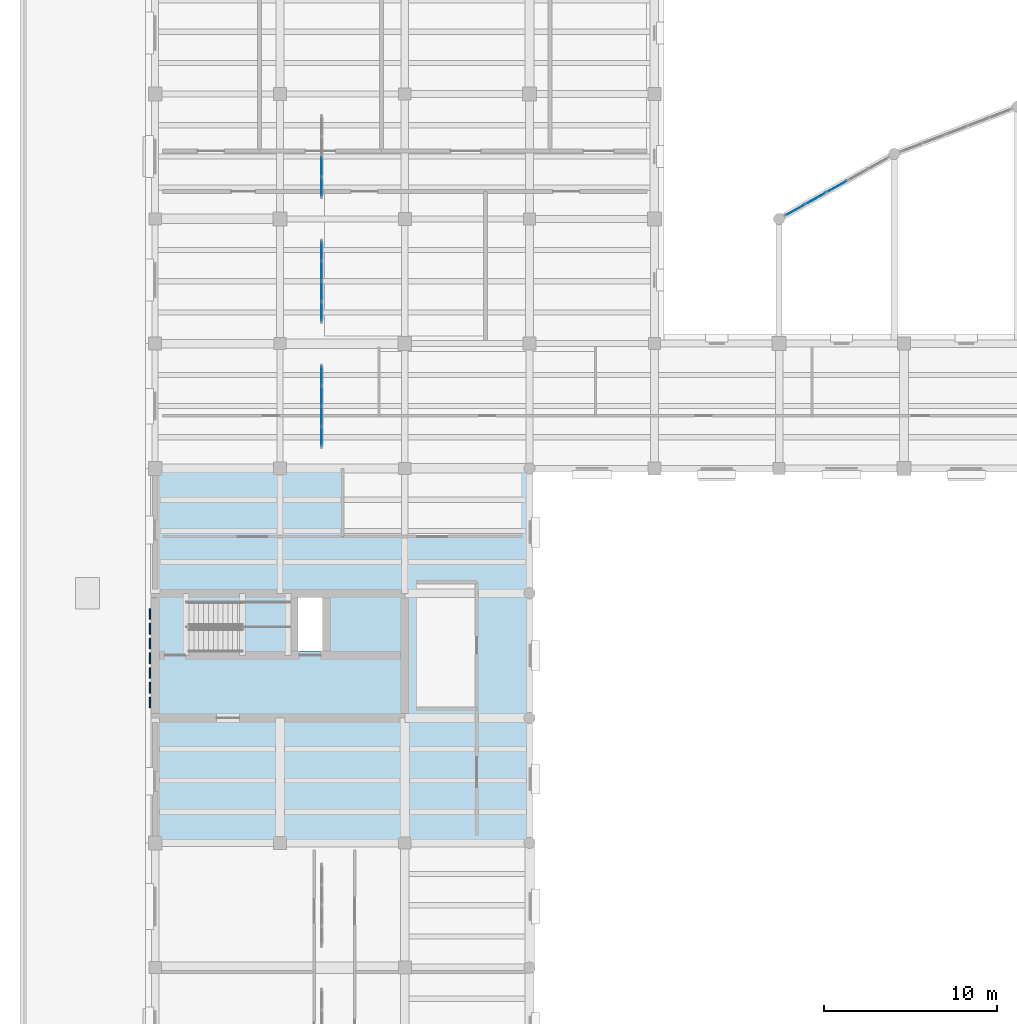
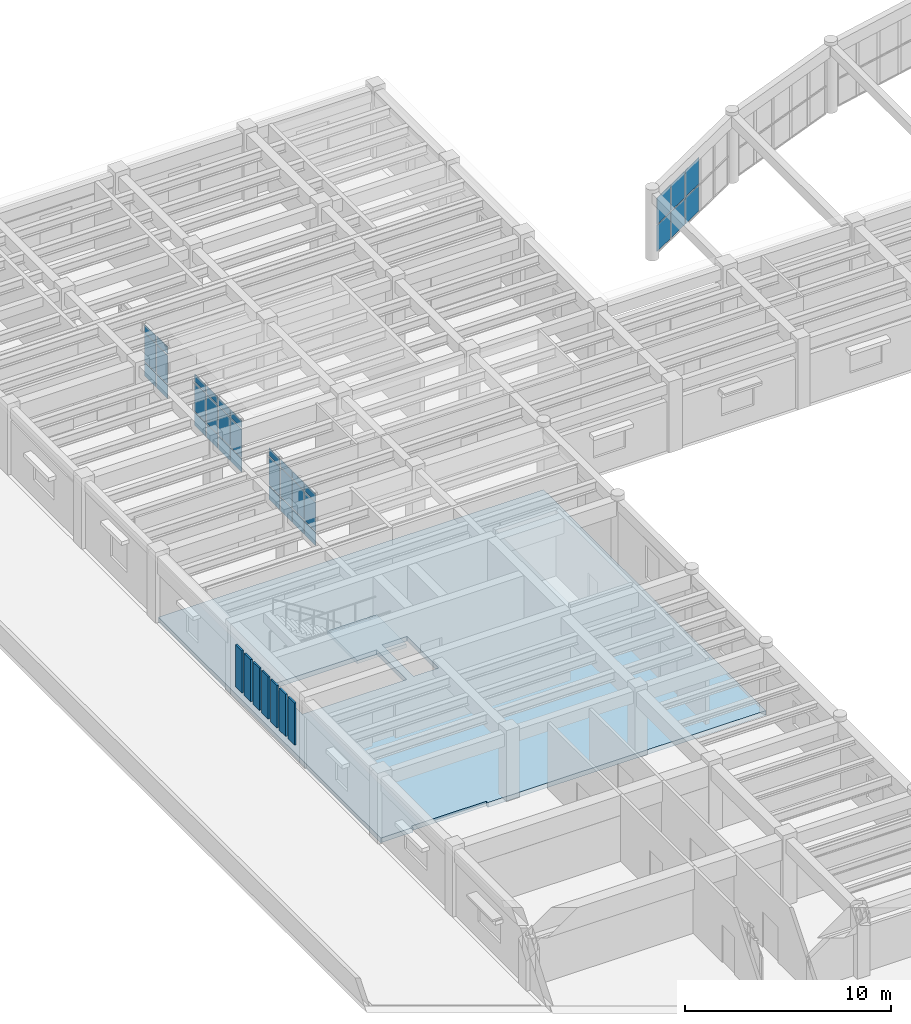
# One storey, part 39 of 76: 43 plates, 2 slabs, 5 elements without a shape of their own.
"""IFC4 building model written with IfcOpenShell, lengths in metres."""

from ifc_helpers import new_model, si_unit, direction, frame, origin, origin_2d, place, context, subcontext, project, spatial, polyline, rectangle, outline, extrude, material, layer, layer_set, type_object, element, aggregate, save


model = new_model("IFC4")

# Units and contexts
model_context = context("Model", 3, precision=1e-05, world=origin(), true_north=direction((0.0, 1.0)))
body_context = subcontext(model_context, "Body", "Model", "MODEL_VIEW")
ifc_project = project(units=[si_unit("LENGTHUNIT", "METRE"), si_unit("AREAUNIT", "SQUARE_METRE"), si_unit("VOLUMEUNIT", "CUBIC_METRE"), si_unit("PLANEANGLEUNIT", "RADIAN"), si_unit("MASSUNIT", "GRAM", prefix="KILO")], contexts=[model_context])

# Site, building, storey
site_placement = place(None, origin())
site = spatial("IfcSite", under=ifc_project, at=site_placement, CompositionType="ELEMENT")
building_placement = place(site_placement, origin())
building = spatial("IfcBuilding", under=site, at=building_placement, Name="Mithqara Police Headquarters", CompositionType="ELEMENT")
storey_placement = place(building_placement, frame((0.0, 0.0, 5.39990234375)))
storey = spatial("IfcBuildingStorey", under=building, at=storey_placement, Name="L01", CompositionType="ELEMENT", Elevation=5.39990234375)

# Curtain wall, plates
ifc_material_1 = material(Name="Bronze anodised aluminium 6063-T6", Category="aluminium")
curtain_wall_type_1 = type_object("IfcCurtainWallType", Name="CURTAIN WALL 6875X3300", PredefinedType="USERDEFINED", material=ifc_material_1)
curtain_wall_1_placement = place(storey_placement, origin())
curtain_wall_1 = element("IfcCurtainWall", 1, at=curtain_wall_1_placement, inside=storey, type_object=curtain_wall_type_1, Name="L01 Unitised Glazing CW-12 (CW-ARC-L01-00-0)", ObjectType="UNITISED GLAZING", PredefinedType="USERDEFINED")
ifc_material_2 = material(Name="Spectrally selective double low-e glass", Category="glass")
ifc_layer_1 = layer(ifc_material_2, 0.028076171875, Name="Spectrally selective double low-e glass")
ifc_layer_set_1 = layer_set([ifc_layer_1], Name="Spectrally selective double low-e glass")
plate_type_1 = type_object("IfcPlateType", Name="CWPANEL GLASS28", PredefinedType="CURTAIN_PANEL", material=ifc_layer_set_1)
plate_1_placement = place(storey_placement, frame((44.7392578125, 93.52978515625, 0.06494140625), z_axis=(0.0, 0.0, 1.0), x_axis=(0.870985969427, 0.491307888255, 0.0)))
plate_1 = element("IfcPlate", 2, at=plate_1_placement, type_object=plate_type_1, Name="CW-12 panel 1.1", PredefinedType="CURTAIN_PANEL", context=body_context, shape_type="SweptSolid", body=[
    extrude(rectangle(XDim=1.27734375, YDim=0.028076171875, at=origin_2d()), origin(), (0.0, 0.0, 1.0), 1.552490234375),
])
plate_2_placement = place(storey_placement, frame((44.7392578125, 93.52978515625, 1.6826171875), z_axis=(0.0, 0.0, 1.0), x_axis=(0.870985969427, 0.491307888255, 0.0)))
plate_2 = element("IfcPlate", 3, at=plate_2_placement, type_object=plate_type_1, Name="CW-12 panel 1.2", PredefinedType="CURTAIN_PANEL", context=body_context, shape_type="SweptSolid", body=[
    extrude(rectangle(XDim=1.27734375, YDim=0.028076171875, at=origin_2d()), origin(), (0.0, 0.0, 1.0), 1.552490234375),
])
plate_3_placement = place(storey_placement, frame((45.922607421875, 94.197265625, 0.06494140625), z_axis=(0.0, 0.0, 1.0), x_axis=(0.870985969427, 0.491307888255, 0.0)))
plate_3 = element("IfcPlate", 4, at=plate_3_placement, type_object=plate_type_1, Name="CW-12 panel 2.1", PredefinedType="CURTAIN_PANEL", context=body_context, shape_type="SweptSolid", body=[
    extrude(rectangle(XDim=1.309814453125, YDim=0.028076171875, at=origin_2d()), origin(), (0.0, 0.0, 1.0), 1.552490234375),
])
plate_4_placement = place(storey_placement, frame((45.922607421875, 94.197265625, 1.6826171875), z_axis=(0.0, 0.0, 1.0), x_axis=(0.870985969427, 0.491307888255, 0.0)))
plate_4 = element("IfcPlate", 5, at=plate_4_placement, type_object=plate_type_1, Name="CW-12 panel 2.2", PredefinedType="CURTAIN_PANEL", context=body_context, shape_type="SweptSolid", body=[
    extrude(rectangle(XDim=1.309814453125, YDim=0.028076171875, at=origin_2d()), origin(), (0.0, 0.0, 1.0), 1.552490234375),
])
plate_5_placement = place(storey_placement, frame((47.1201171875, 94.872802734375, 0.06494140625), z_axis=(0.0, 0.0, 1.0), x_axis=(0.870985969427, 0.491307888255, 0.0)))
plate_5 = element("IfcPlate", 6, at=plate_5_placement, type_object=plate_type_1, Name="CW-12 panel 3.1", PredefinedType="CURTAIN_PANEL", context=body_context, shape_type="SweptSolid", body=[
    extrude(rectangle(XDim=1.309814453125, YDim=0.028076171875, at=origin_2d()), origin(), (0.0, 0.0, 1.0), 1.552490234375),
])
plate_6_placement = place(storey_placement, frame((47.1201171875, 94.872802734375, 1.6826171875), z_axis=(0.0, 0.0, 1.0), x_axis=(0.870985969427, 0.491307888255, 0.0)))
plate_6 = element("IfcPlate", 7, at=plate_6_placement, type_object=plate_type_1, Name="CW-12 panel 3.2", PredefinedType="CURTAIN_PANEL", context=body_context, shape_type="SweptSolid", body=[
    extrude(rectangle(XDim=1.309814453125, YDim=0.028076171875, at=origin_2d()), origin(), (0.0, 0.0, 1.0), 1.552490234375),
])
aggregate(curtain_wall_1, [plate_1, plate_2, plate_3, plate_4, plate_5, plate_6])

curtain_wall_type_2 = type_object("IfcCurtainWallType", Name="CURTAIN WALL 4700X3200", PredefinedType="USERDEFINED", material=ifc_material_1)
curtain_wall_2_placement = place(storey_placement, origin())
curtain_wall_2 = element("IfcCurtainWall", 8, at=curtain_wall_2_placement, inside=storey, type_object=curtain_wall_type_2, Name="L01 Unitised Glazing CW-15 (CW-INT-L01-X02-Y11-0)", ObjectType="UNITISED GLAZING", PredefinedType="USERDEFINED")
plate_7_placement = place(storey_placement, frame((17.39990234375, 80.456298828125, 0.074951171875), z_axis=(0.0, 0.0, 1.0), x_axis=(0.0, 1.0, 0.0)))
plate_7 = element("IfcPlate", 9, at=plate_7_placement, type_object=plate_type_1, Name="CW-15 panel 1.1", PredefinedType="CURTAIN_PANEL", context=body_context, shape_type="SweptSolid", body=[
    extrude(rectangle(XDim=1.0625, YDim=0.028076171875, at=origin_2d()), origin(), (0.0, 0.0, 1.0), 0.78759765625),
])
plate_8_placement = place(storey_placement, frame((17.39990234375, 80.456298828125, 0.9375), z_axis=(0.0, 0.0, 1.0), x_axis=(0.0, 1.0, 0.0)))
plate_8 = element("IfcPlate", 10, at=plate_8_placement, type_object=plate_type_1, Name="CW-15 panel 1.2", PredefinedType="CURTAIN_PANEL", context=body_context, shape_type="SweptSolid", body=[
    extrude(rectangle(XDim=1.0625, YDim=0.028076171875, at=origin_2d()), origin(), (0.0, 0.0, 1.0), 1.675048828125),
])
plate_9_placement = place(storey_placement, frame((17.39990234375, 80.456298828125, 2.6875), z_axis=(0.0, 0.0, 1.0), x_axis=(0.0, 1.0, 0.0)))
plate_9 = element("IfcPlate", 11, at=plate_9_placement, type_object=plate_type_1, Name="CW-15 panel 1.3", PredefinedType="CURTAIN_PANEL", context=body_context, shape_type="SweptSolid", body=[
    extrude(rectangle(XDim=1.0625, YDim=0.028076171875, at=origin_2d()), origin(), (0.0, 0.0, 1.0), 0.4375),
])
plate_10_placement = place(storey_placement, frame((17.39990234375, 81.612548828125, 0.074951171875), z_axis=(0.0, 0.0, 1.0), x_axis=(0.0, 1.0, 0.0)))
plate_10 = element("IfcPlate", 12, at=plate_10_placement, type_object=plate_type_1, Name="CW-15 panel 2.1", PredefinedType="CURTAIN_PANEL", context=body_context, shape_type="SweptSolid", body=[
    extrude(rectangle(XDim=1.10009765625, YDim=0.028076171875, at=origin_2d()), origin(), (0.0, 0.0, 1.0), 0.78759765625),
])
plate_11_placement = place(storey_placement, frame((17.39990234375, 81.612548828125, 0.9375), z_axis=(0.0, 0.0, 1.0), x_axis=(0.0, 1.0, 0.0)))
plate_11 = element("IfcPlate", 13, at=plate_11_placement, type_object=plate_type_1, Name="CW-15 panel 2.2", PredefinedType="CURTAIN_PANEL", context=body_context, shape_type="SweptSolid", body=[
    extrude(rectangle(XDim=1.10009765625, YDim=0.028076171875, at=origin_2d()), origin(), (0.0, 0.0, 1.0), 1.675048828125),
])
plate_12_placement = place(storey_placement, frame((17.39990234375, 81.612548828125, 2.6875), z_axis=(0.0, 0.0, 1.0), x_axis=(0.0, 1.0, 0.0)))
plate_12 = element("IfcPlate", 14, at=plate_12_placement, type_object=plate_type_1, Name="CW-15 panel 2.3", PredefinedType="CURTAIN_PANEL", context=body_context, shape_type="SweptSolid", body=[
    extrude(rectangle(XDim=1.10009765625, YDim=0.028076171875, at=origin_2d()), origin(), (0.0, 0.0, 1.0), 0.4375),
])
plate_13_placement = place(storey_placement, frame((17.39990234375, 82.78759765625, 0.074951171875), z_axis=(0.0, 0.0, 1.0), x_axis=(0.0, 1.0, 0.0)))
plate_13 = element("IfcPlate", 15, at=plate_13_placement, type_object=plate_type_1, Name="CW-15 panel 3.1", PredefinedType="CURTAIN_PANEL", context=body_context, shape_type="SweptSolid", body=[
    extrude(rectangle(XDim=1.10009765625, YDim=0.028076171875, at=origin_2d()), origin(), (0.0, 0.0, 1.0), 0.78759765625),
])
plate_14_placement = place(storey_placement, frame((17.39990234375, 82.78759765625, 0.9375), z_axis=(0.0, 0.0, 1.0), x_axis=(0.0, 1.0, 0.0)))
plate_14 = element("IfcPlate", 16, at=plate_14_placement, type_object=plate_type_1, Name="CW-15 panel 3.2", PredefinedType="CURTAIN_PANEL", context=body_context, shape_type="SweptSolid", body=[
    extrude(rectangle(XDim=1.10009765625, YDim=0.028076171875, at=origin_2d()), origin(), (0.0, 0.0, 1.0), 1.675048828125),
])
plate_15_placement = place(storey_placement, frame((17.39990234375, 82.78759765625, 2.6875), z_axis=(0.0, 0.0, 1.0), x_axis=(0.0, 1.0, 0.0)))
plate_15 = element("IfcPlate", 17, at=plate_15_placement, type_object=plate_type_1, Name="CW-15 panel 3.3", PredefinedType="CURTAIN_PANEL", context=body_context, shape_type="SweptSolid", body=[
    extrude(rectangle(XDim=1.10009765625, YDim=0.028076171875, at=origin_2d()), origin(), (0.0, 0.0, 1.0), 0.4375),
])
plate_16_placement = place(storey_placement, frame((17.39990234375, 83.94384765625, 0.074951171875), z_axis=(0.0, 0.0, 1.0), x_axis=(0.0, 1.0, 0.0)))
plate_16 = element("IfcPlate", 18, at=plate_16_placement, type_object=plate_type_1, Name="CW-15 panel 4.1", PredefinedType="CURTAIN_PANEL", context=body_context, shape_type="SweptSolid", body=[
    extrude(rectangle(XDim=1.0625, YDim=0.028076171875, at=origin_2d()), origin(), (0.0, 0.0, 1.0), 0.78759765625),
])
plate_17_placement = place(storey_placement, frame((17.39990234375, 83.94384765625, 0.9375), z_axis=(0.0, 0.0, 1.0), x_axis=(0.0, 1.0, 0.0)))
plate_17 = element("IfcPlate", 19, at=plate_17_placement, type_object=plate_type_1, Name="CW-15 panel 4.2", PredefinedType="CURTAIN_PANEL", context=body_context, shape_type="SweptSolid", body=[
    extrude(rectangle(XDim=1.0625, YDim=0.028076171875, at=origin_2d()), origin(), (0.0, 0.0, 1.0), 1.675048828125),
])
plate_18_placement = place(storey_placement, frame((17.39990234375, 83.94384765625, 2.6875), z_axis=(0.0, 0.0, 1.0), x_axis=(0.0, 1.0, 0.0)))
plate_18 = element("IfcPlate", 20, at=plate_18_placement, type_object=plate_type_1, Name="CW-15 panel 4.3", PredefinedType="CURTAIN_PANEL", context=body_context, shape_type="SweptSolid", body=[
    extrude(rectangle(XDim=1.0625, YDim=0.028076171875, at=origin_2d()), origin(), (0.0, 0.0, 1.0), 0.4375),
])
aggregate(curtain_wall_2, [plate_7, plate_8, plate_9, plate_10, plate_11, plate_12, plate_13, plate_14, plate_15, plate_16, plate_17, plate_18])

curtain_wall_3_placement = place(storey_placement, origin())
curtain_wall_3 = element("IfcCurtainWall", 21, at=curtain_wall_3_placement, inside=storey, type_object=curtain_wall_type_2, Name="L01 Unitised Glazing CW-15 (CW-INT-L01-X02-Y12-0)", ObjectType="UNITISED GLAZING", PredefinedType="USERDEFINED")
plate_19_placement = place(storey_placement, frame((17.39990234375, 87.65625, 0.074951171875), z_axis=(0.0, 0.0, 1.0), x_axis=(0.0, 1.0, 0.0)))
plate_19 = element("IfcPlate", 22, at=plate_19_placement, type_object=plate_type_1, Name="CW-15 panel 1.1", PredefinedType="CURTAIN_PANEL", context=body_context, shape_type="SweptSolid", body=[
    extrude(rectangle(XDim=1.0625, YDim=0.028076171875, at=origin_2d()), origin(), (0.0, 0.0, 1.0), 0.78759765625),
])
plate_20_placement = place(storey_placement, frame((17.39990234375, 87.65625, 0.9375), z_axis=(0.0, 0.0, 1.0), x_axis=(0.0, 1.0, 0.0)))
plate_20 = element("IfcPlate", 23, at=plate_20_placement, type_object=plate_type_1, Name="CW-15 panel 1.2", PredefinedType="CURTAIN_PANEL", context=body_context, shape_type="SweptSolid", body=[
    extrude(rectangle(XDim=1.0625, YDim=0.028076171875, at=origin_2d()), origin(), (0.0, 0.0, 1.0), 1.675048828125),
])
plate_21_placement = place(storey_placement, frame((17.39990234375, 87.65625, 2.6875), z_axis=(0.0, 0.0, 1.0), x_axis=(0.0, 1.0, 0.0)))
plate_21 = element("IfcPlate", 24, at=plate_21_placement, type_object=plate_type_1, Name="CW-15 panel 1.3", PredefinedType="CURTAIN_PANEL", context=body_context, shape_type="SweptSolid", body=[
    extrude(rectangle(XDim=1.0625, YDim=0.028076171875, at=origin_2d()), origin(), (0.0, 0.0, 1.0), 0.4375),
])
plate_22_placement = place(storey_placement, frame((17.39990234375, 88.8125, 0.074951171875), z_axis=(0.0, 0.0, 1.0), x_axis=(0.0, 1.0, 0.0)))
plate_22 = element("IfcPlate", 25, at=plate_22_placement, type_object=plate_type_1, Name="CW-15 panel 2.1", PredefinedType="CURTAIN_PANEL", context=body_context, shape_type="SweptSolid", body=[
    extrude(rectangle(XDim=1.10009765625, YDim=0.028076171875, at=origin_2d()), origin(), (0.0, 0.0, 1.0), 0.78759765625),
])
plate_23_placement = place(storey_placement, frame((17.39990234375, 88.8125, 0.9375), z_axis=(0.0, 0.0, 1.0), x_axis=(0.0, 1.0, 0.0)))
plate_23 = element("IfcPlate", 26, at=plate_23_placement, type_object=plate_type_1, Name="CW-15 panel 2.2", PredefinedType="CURTAIN_PANEL", context=body_context, shape_type="SweptSolid", body=[
    extrude(rectangle(XDim=1.10009765625, YDim=0.028076171875, at=origin_2d()), origin(), (0.0, 0.0, 1.0), 1.675048828125),
])
plate_24_placement = place(storey_placement, frame((17.39990234375, 88.8125, 2.6875), z_axis=(0.0, 0.0, 1.0), x_axis=(0.0, 1.0, 0.0)))
plate_24 = element("IfcPlate", 27, at=plate_24_placement, type_object=plate_type_1, Name="CW-15 panel 2.3", PredefinedType="CURTAIN_PANEL", context=body_context, shape_type="SweptSolid", body=[
    extrude(rectangle(XDim=1.10009765625, YDim=0.028076171875, at=origin_2d()), origin(), (0.0, 0.0, 1.0), 0.4375),
])
plate_25_placement = place(storey_placement, frame((17.39990234375, 89.987548828125, 0.074951171875), z_axis=(0.0, 0.0, 1.0), x_axis=(0.0, 1.0, 0.0)))
plate_25 = element("IfcPlate", 28, at=plate_25_placement, type_object=plate_type_1, Name="CW-15 panel 3.1", PredefinedType="CURTAIN_PANEL", context=body_context, shape_type="SweptSolid", body=[
    extrude(rectangle(XDim=1.10009765625, YDim=0.028076171875, at=origin_2d()), origin(), (0.0, 0.0, 1.0), 0.78759765625),
])
plate_26_placement = place(storey_placement, frame((17.39990234375, 89.987548828125, 0.9375), z_axis=(0.0, 0.0, 1.0), x_axis=(0.0, 1.0, 0.0)))
plate_26 = element("IfcPlate", 29, at=plate_26_placement, type_object=plate_type_1, Name="CW-15 panel 3.2", PredefinedType="CURTAIN_PANEL", context=body_context, shape_type="SweptSolid", body=[
    extrude(rectangle(XDim=1.10009765625, YDim=0.028076171875, at=origin_2d()), origin(), (0.0, 0.0, 1.0), 1.675048828125),
])
plate_27_placement = place(storey_placement, frame((17.39990234375, 89.987548828125, 2.6875), z_axis=(0.0, 0.0, 1.0), x_axis=(0.0, 1.0, 0.0)))
plate_27 = element("IfcPlate", 30, at=plate_27_placement, type_object=plate_type_1, Name="CW-15 panel 3.3", PredefinedType="CURTAIN_PANEL", context=body_context, shape_type="SweptSolid", body=[
    extrude(rectangle(XDim=1.10009765625, YDim=0.028076171875, at=origin_2d()), origin(), (0.0, 0.0, 1.0), 0.4375),
])
plate_28_placement = place(storey_placement, frame((17.39990234375, 91.143798828125, 0.074951171875), z_axis=(0.0, 0.0, 1.0), x_axis=(0.0, 1.0, 0.0)))
plate_28 = element("IfcPlate", 31, at=plate_28_placement, type_object=plate_type_1, Name="CW-15 panel 4.1", PredefinedType="CURTAIN_PANEL", context=body_context, shape_type="SweptSolid", body=[
    extrude(rectangle(XDim=1.0625, YDim=0.028076171875, at=origin_2d()), origin(), (0.0, 0.0, 1.0), 0.78759765625),
])
plate_29_placement = place(storey_placement, frame((17.39990234375, 91.143798828125, 0.9375), z_axis=(0.0, 0.0, 1.0), x_axis=(0.0, 1.0, 0.0)))
plate_29 = element("IfcPlate", 32, at=plate_29_placement, type_object=plate_type_1, Name="CW-15 panel 4.2", PredefinedType="CURTAIN_PANEL", context=body_context, shape_type="SweptSolid", body=[
    extrude(rectangle(XDim=1.0625, YDim=0.028076171875, at=origin_2d()), origin(), (0.0, 0.0, 1.0), 1.675048828125),
])
plate_30_placement = place(storey_placement, frame((17.39990234375, 91.143798828125, 2.6875), z_axis=(0.0, 0.0, 1.0), x_axis=(0.0, 1.0, 0.0)))
plate_30 = element("IfcPlate", 33, at=plate_30_placement, type_object=plate_type_1, Name="CW-15 panel 4.3", PredefinedType="CURTAIN_PANEL", context=body_context, shape_type="SweptSolid", body=[
    extrude(rectangle(XDim=1.0625, YDim=0.028076171875, at=origin_2d()), origin(), (0.0, 0.0, 1.0), 0.4375),
])
aggregate(curtain_wall_3, [plate_19, plate_20, plate_21, plate_22, plate_23, plate_24, plate_25, plate_26, plate_27, plate_28, plate_29, plate_30])

curtain_wall_4_placement = place(storey_placement, origin())
curtain_wall_4 = element("IfcCurtainWall", 34, at=curtain_wall_4_placement, inside=storey, type_object=curtain_wall_type_2, Name="L01 Unitised Glazing CW-15 (CW-INT-L01-X02-Y13-0)", ObjectType="UNITISED GLAZING", PredefinedType="USERDEFINED")
plate_31_placement = place(storey_placement, frame((17.39990234375, 94.856201171875, 0.074951171875), z_axis=(0.0, 0.0, 1.0), x_axis=(0.0, 1.0, 0.0)))
plate_31 = element("IfcPlate", 35, at=plate_31_placement, type_object=plate_type_1, Name="CW-15 panel 1.1", PredefinedType="CURTAIN_PANEL", context=body_context, shape_type="SweptSolid", body=[
    extrude(rectangle(XDim=1.0625, YDim=0.028076171875, at=origin_2d()), origin(), (0.0, 0.0, 1.0), 0.78759765625),
])
plate_32_placement = place(storey_placement, frame((17.39990234375, 94.856201171875, 0.9375), z_axis=(0.0, 0.0, 1.0), x_axis=(0.0, 1.0, 0.0)))
plate_32 = element("IfcPlate", 36, at=plate_32_placement, type_object=plate_type_1, Name="CW-15 panel 1.2", PredefinedType="CURTAIN_PANEL", context=body_context, shape_type="SweptSolid", body=[
    extrude(rectangle(XDim=1.0625, YDim=0.028076171875, at=origin_2d()), origin(), (0.0, 0.0, 1.0), 1.675048828125),
])
plate_33_placement = place(storey_placement, frame((17.39990234375, 94.856201171875, 2.6875), z_axis=(0.0, 0.0, 1.0), x_axis=(0.0, 1.0, 0.0)))
plate_33 = element("IfcPlate", 37, at=plate_33_placement, type_object=plate_type_1, Name="CW-15 panel 1.3", PredefinedType="CURTAIN_PANEL", context=body_context, shape_type="SweptSolid", body=[
    extrude(rectangle(XDim=1.0625, YDim=0.028076171875, at=origin_2d()), origin(), (0.0, 0.0, 1.0), 0.4375),
])
plate_34_placement = place(storey_placement, frame((17.39990234375, 96.012451171875, 0.074951171875), z_axis=(0.0, 0.0, 1.0), x_axis=(0.0, 1.0, 0.0)))
plate_34 = element("IfcPlate", 38, at=plate_34_placement, type_object=plate_type_1, Name="CW-15 panel 2.1", PredefinedType="CURTAIN_PANEL", context=body_context, shape_type="SweptSolid", body=[
    extrude(rectangle(XDim=1.10009765625, YDim=0.028076171875, at=origin_2d()), origin(), (0.0, 0.0, 1.0), 0.78759765625),
])
plate_35_placement = place(storey_placement, frame((17.39990234375, 96.012451171875, 0.9375), z_axis=(0.0, 0.0, 1.0), x_axis=(0.0, 1.0, 0.0)))
plate_35 = element("IfcPlate", 39, at=plate_35_placement, type_object=plate_type_1, Name="CW-15 panel 2.2", PredefinedType="CURTAIN_PANEL", context=body_context, shape_type="SweptSolid", body=[
    extrude(rectangle(XDim=1.10009765625, YDim=0.028076171875, at=origin_2d()), origin(), (0.0, 0.0, 1.0), 1.675048828125),
])
plate_36_placement = place(storey_placement, frame((17.39990234375, 96.012451171875, 2.6875), z_axis=(0.0, 0.0, 1.0), x_axis=(0.0, 1.0, 0.0)))
plate_36 = element("IfcPlate", 40, at=plate_36_placement, type_object=plate_type_1, Name="CW-15 panel 2.3", PredefinedType="CURTAIN_PANEL", context=body_context, shape_type="SweptSolid", body=[
    extrude(rectangle(XDim=1.10009765625, YDim=0.028076171875, at=origin_2d()), origin(), (0.0, 0.0, 1.0), 0.4375),
])
aggregate(curtain_wall_4, [plate_31, plate_32, plate_33, plate_34, plate_35, plate_36])

# Slab
ifc_material_3 = material(Name="Concrete C40/50", Category="concrete")
ifc_layer_2 = layer(ifc_material_3, 0.280029296875, Name="Concrete C40/50")
ifc_layer_set_2 = layer_set([ifc_layer_2], Name="Concrete C40/50")
slab_type_1 = type_object("IfcSlabType", Name="FLOOR SLAB 280", PredefinedType="FLOOR", material=ifc_layer_set_2)
slab_1_placement = place(storey_placement, frame((0.0, 0.0, -0.27978515625)))
element("IfcSlab", 41, at=slab_1_placement, inside=storey, type_object=slab_type_1, Name="L01 Structural Slab L01-V5W", PredefinedType="FLOOR", context=body_context, shape_type="SweptSolid", body=[
    extrude(outline(polyline([(13.800048828125, 57.0), (13.800048828125, 57.139892578125), (9.60009765625, 57.139892578125), (9.60009765625, 57.0), (7.800048828125, 57.0), (7.800048828125, 78.60009765625), (29.39990234375, 78.60009765625), (29.39990234375, 57.0), (13.800048828125, 57.0)]), holes=[polyline([(9.75, 68.0), (15.60009765625, 68.0), (15.60009765625, 70.89990234375), (9.75, 70.89990234375), (9.75, 68.0)]), polyline([(17.449951171875, 68.070068359375), (17.449951171875, 71.14990234375), (16.030029296875, 71.14990234375), (16.030029296875, 68.070068359375), (17.449951171875, 68.070068359375)])]), origin(), (0.0, 0.0, 1.0), 0.27978515625),
])

# Stair, slab
stair_type = type_object("IfcStairType", Name="STAIR ST 03-R24", PredefinedType="HALF_TURN_STAIR", material=ifc_material_3)
stair_placement = place(storey_placement, origin())
stair = element("IfcStair", 42, at=stair_placement, inside=storey, type_object=stair_type, Name="L01 Core C3 Operations West Exit Stair", PredefinedType="HALF_TURN_STAIR")
ifc_layer_3 = layer(ifc_material_3, 0.199951171875, Name="Concrete C40/50")
ifc_layer_set_3 = layer_set([ifc_layer_3], Name="Concrete C40/50")
slab_type_2 = type_object("IfcSlabType", Name="STAIR LANDING 200", PredefinedType="LANDING", material=ifc_layer_set_3)
slab_2_placement = place(storey_placement, frame((0.0, 0.0, 1.900146484375)))
slab_2 = element("IfcSlab", 43, at=slab_2_placement, type_object=slab_type_2, Name="ST-03 landing 1", PredefinedType="LANDING", context=body_context, shape_type="SweptSolid", body=[
    extrude(outline(polyline([(12.830078125, 68.0), (15.60009765625, 68.0), (15.60009765625, 70.89990234375), (12.830078125, 70.89990234375), (12.830078125, 68.0)])), origin(), (0.0, 0.0, 1.0), 0.199951171875),
])
aggregate(stair, [slab_2])

# Plates
ifc_material_4 = material(Name="Limestone ashlar masonry, 45 MPa", Category="masonry")
ifc_layer_4 = layer(ifc_material_4, 0.10009765625, Name="Limestone ashlar masonry, 45 MPa")
ifc_layer_set_4 = layer_set([ifc_layer_4], Name="Limestone ashlar masonry, 45 MPa")
plate_type_2 = type_object("IfcPlateType", Name="STONE SCREEN 100", PredefinedType="USERDEFINED", material=ifc_layer_set_4)
for number, where, z_axis, x_axis, name in (
    (44, (7.5048828125, 65.10009765625, 0.900146484375), (0.0, 0.0, 1.0), (0.0, 1.0, 0.0), "L01 Core C3 Pierced Vertical-Slit Screen 1"),
    (45, (7.5048828125, 65.949951171875, 0.900146484375), (0.0, 0.0, 1.0), (0.0, 1.0, 0.0), "L01 Core C3 Pierced Vertical-Slit Screen 2"),
    (46, (7.5048828125, 66.800048828125, 0.900146484375), (0.0, 0.0, 1.0), (0.0, 1.0, 0.0), "L01 Core C3 Pierced Vertical-Slit Screen 3"),
    (47, (7.5048828125, 67.64990234375, 0.900146484375), (0.0, 0.0, 1.0), (0.0, 1.0, 0.0), "L01 Core C3 Pierced Vertical-Slit Screen 4"),
    (48, (7.5048828125, 68.5, 0.900146484375), (0.0, 0.0, 1.0), (0.0, 1.0, 0.0), "L01 Core C3 Pierced Vertical-Slit Screen 5"),
    (49, (7.5048828125, 69.35009765625, 0.900146484375), (0.0, 0.0, 1.0), (0.0, 1.0, 0.0), "L01 Core C3 Pierced Vertical-Slit Screen 6"),
    (50, (7.5048828125, 70.199951171875, 0.900146484375), (0.0, 0.0, 1.0), (0.0, 1.0, 0.0), "L01 Core C3 Pierced Vertical-Slit Screen 7"),
):
    element("IfcPlate", number, at=place(storey_placement, frame(where, z_axis=z_axis, x_axis=x_axis)), inside=storey, type_object=plate_type_2, Name=name, ObjectType="STONE SCREEN", PredefinedType="USERDEFINED", context=body_context, shape_type="SweptSolid", body=[
        extrude(rectangle(XDim=0.6201171875, YDim=0.10009765625, at=origin_2d()), origin(), (0.0, 0.0, 1.0), 2.5),
    ])

save(model, "model.ifc")
